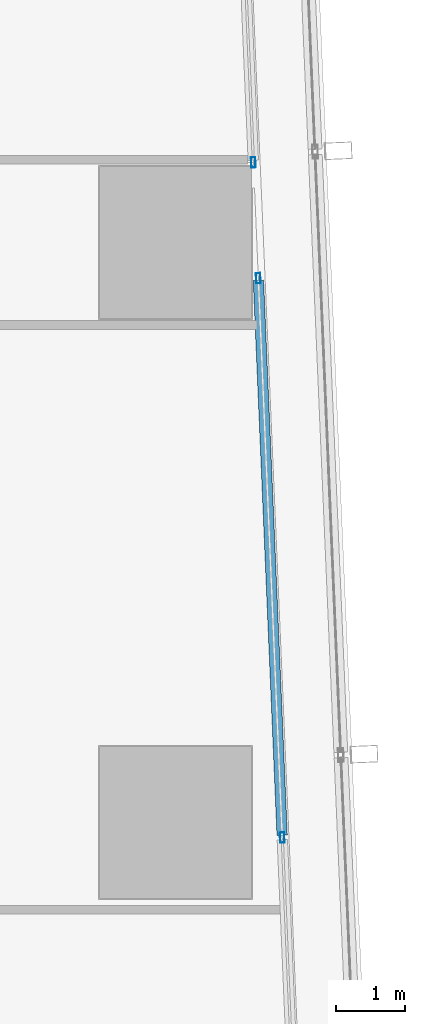
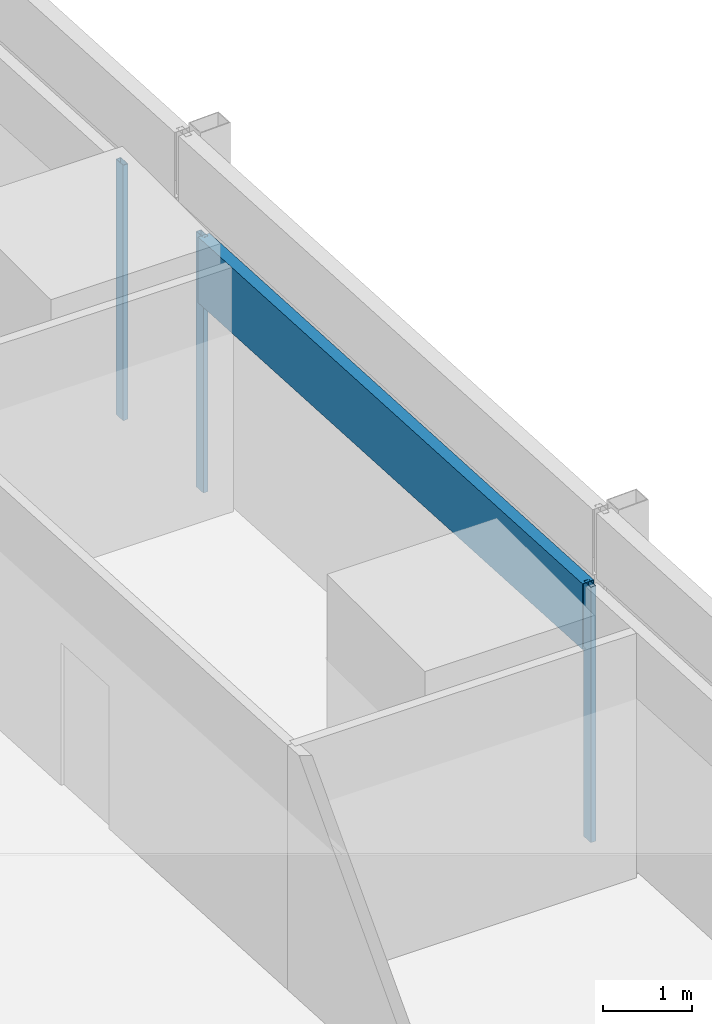
# One storey, part 20 of 45: 4 members, 2 elements without a shape of their own.
"""IFC4 building model written with IfcOpenShell, lengths in metres."""

import ifcopenshell
import ifcopenshell.guid

model = None  # the IFC model being written
_history = None  # IfcOwnerHistory: only IFC2X3 demands one
_inside = {}  # id of a spatial element -> (the spatial element, [elements in it])
_under = {}  # id of a project, library or spatial element -> (it, [spatial elements below it])
_declared = {}  # id of a project -> (the project, [libraries it declares])
_typed = {}  # id of a type object -> (the type object, [elements of that type])
_made_of = {}  # id of a material, layer set ... -> (it, [elements and type objects made of it])


def new_model(schema):
    """Start an empty IFC model of exactly this schema.

    Asked for "IFC4X3", IfcOpenShell would pick the latest addendum, in which some entities
    have other attributes; the version numbers below select the first issue.
    IFC2X3 requires an IfcOwnerHistory on every rooted entity: one is made here for all.
    """
    global model, _history
    if schema == "IFC4X3":
        model = ifcopenshell.file(schema_version=(4, 3, 0, 0))
    else:
        model = ifcopenshell.file(schema=schema)
    _inside.clear()
    _under.clear()
    _declared.clear()
    _typed.clear()
    _made_of.clear()
    _history = None
    if model.schema == "IFC2X3":
        org = make("IfcOrganization", Name="unknown")
        user = make(
            "IfcPersonAndOrganization",
            ThePerson=make("IfcPerson", FamilyName="unknown"),
            TheOrganization=org,
        )
        app = make(
            "IfcApplication",
            ApplicationDeveloper=org,
            Version="unknown",
            ApplicationFullName="unknown",
            ApplicationIdentifier="unknown",
        )
        _history = make(
            "IfcOwnerHistory",
            OwningUser=user,
            OwningApplication=app,
            ChangeAction="ADDED",
            CreationDate=0,
        )
    return model


def make(cls, **values):
    """One entity of the class cls with the attributes given. An attribute that is None is left unset."""
    return model.create_entity(
        cls, **{name: value for name, value in values.items() if value is not None}
    )


def rooted(cls, **values):
    """An entity with a GlobalId (a new one), such as an element, a storey or a relation."""
    return make(cls, GlobalId=ifcopenshell.guid.new(), OwnerHistory=_history, **values)


def si_unit(unit_type, name, prefix=None):
    """IfcSIUnit, for example si_unit("LENGTHUNIT", "METRE", prefix="MILLI")."""
    return make("IfcSIUnit", UnitType=unit_type, Prefix=prefix, Name=name)


def assignment(units):
    """IfcUnitAssignment: the units of a project."""
    return None if units is None else make("IfcUnitAssignment", Units=units)


def point(xyz):
    """IfcCartesianPoint."""
    return None if xyz is None else make("IfcCartesianPoint", Coordinates=xyz)


def direction(xyz):
    """IfcDirection."""
    return None if xyz is None else make("IfcDirection", DirectionRatios=xyz)


def frame(location, z_axis=None, x_axis=None):
    """IfcAxis2Placement3D, a coordinate frame: its origin and axes. An axis left out is left unset."""
    return make(
        "IfcAxis2Placement3D",
        Location=point(location),
        Axis=direction(z_axis),
        RefDirection=direction(x_axis),
    )


def frame_2d(location, x_axis=None):
    """IfcAxis2Placement2D, a coordinate frame in the plane: its origin and x axis."""
    return make(
        "IfcAxis2Placement2D", Location=point(location), RefDirection=direction(x_axis)
    )


def origin():
    """The frame at (0, 0, 0) with its axes left unset."""
    return frame((0.0, 0.0, 0.0))


def origin_2d():
    """The frame at (0, 0) in the plane with its x axis left unset."""
    return frame_2d((0.0, 0.0))


def place(relative_to, where):
    """IfcLocalPlacement: puts the frame where relative to a parent placement (None: the world)."""
    return make(
        "IfcLocalPlacement", PlacementRelTo=relative_to, RelativePlacement=where
    )


def context(
    kind, dimensions, precision=None, world=None, true_north=None, identifier=None
):
    """IfcGeometricRepresentationContext, for example the 3D "Model" context."""
    return make(
        "IfcGeometricRepresentationContext",
        ContextIdentifier=identifier,
        ContextType=kind,
        CoordinateSpaceDimension=dimensions,
        Precision=precision,
        WorldCoordinateSystem=world,
        TrueNorth=true_north,
    )


def subcontext(parent, identifier, kind, view, scale=None):
    """IfcGeometricRepresentationSubContext, for example "Body" below "Model"."""
    return make(
        "IfcGeometricRepresentationSubContext",
        ContextIdentifier=identifier,
        ContextType=kind,
        ParentContext=parent,
        TargetScale=scale,
        TargetView=view,
    )


def project(units=None, contexts=None):
    """IfcProject with its units and contexts."""
    return rooted(
        "IfcProject",
        Name="project",
        RepresentationContexts=contexts,
        UnitsInContext=assignment(units),
    )


def spatial(cls, under=None, at=None, **own):
    """A site, building, storey or space (cls), placed at a placement, below another one or the project."""
    s = rooted(cls, ObjectPlacement=at, **own)
    if under is not None:
        _under.setdefault(under.id(), (under, []))[1].append(s)
    return s


def profile(cls, at=None, kind="AREA", **sizes):
    """A parametric profile (cls). Its sizes go by their IFC names, for example OverallWidth=200.0."""
    return make(cls, ProfileType=kind, Position=at, **sizes)


def hollow_rectangle(**sizes):
    """IfcRectangleHollowProfileDef."""
    return profile("IfcRectangleHollowProfileDef", **sizes)


def extrude(swept, where, along, depth):
    """IfcExtrudedAreaSolid: the profile swept, set in the frame where, extruded along a direction by depth."""
    return make(
        "IfcExtrudedAreaSolid",
        SweptArea=swept,
        Position=where,
        ExtrudedDirection=direction(along),
        Depth=depth,
    )


def shape(context_of_items, identifier, shape_type, items):
    """IfcShapeRepresentation: the items that make up one representation, for example the "Body"."""
    return make(
        "IfcShapeRepresentation",
        ContextOfItems=context_of_items,
        RepresentationIdentifier=identifier,
        RepresentationType=shape_type,
        Items=items,
    )


def material(Name=None, Category=None):
    """IfcMaterial."""
    return make("IfcMaterial", Name=Name, Category=Category)


def material_profile(
    of_material, cross_section, Name=None, Category=None, Priority=None
):
    """IfcMaterialProfile: a cross section and its material."""
    return make(
        "IfcMaterialProfile",
        Name=Name,
        Material=of_material,
        Profile=cross_section,
        Priority=Priority,
        Category=Category,
    )


def profile_set(profiles, Name=None, composite=None):
    """IfcMaterialProfileSet."""
    return make(
        "IfcMaterialProfileSet",
        Name=Name,
        MaterialProfiles=profiles,
        CompositeProfile=composite,
    )


def made_of(thing, what):
    """Note that an element or type object is made of a material, layer set ...; save() writes the relation."""
    if what is not None:
        _made_of.setdefault(what.id(), (what, []))[1].append(thing)
    return thing


def type_object(cls, material=None, **own):
    """A type object (cls), such as IfcWallType, which elements share."""
    return made_of(rooted(cls, **own), material)


def element(
    cls,
    number,
    at=None,
    inside=None,
    cuts=None,
    type_object=None,
    material=None,
    context=None,
    identifier="Body",
    shape_type=None,
    held_by="IfcProductDefinitionShape",
    body=None,
    shapes=None,
    **own,
):
    """One element of the class cls, such as IfcWall. Its Tag is "e" and its number.

    at: its placement. inside: the storey or other place that contains it. cuts: it is an
    opening in that element (IfcRelVoidsElement). A single representation is given by context,
    identifier, shape_type and body (its items); several are given by shapes. held_by: the class
    of the entity that holds the representations. save() writes the other relations.
    """
    e = rooted(cls, Tag="e%d" % number, ObjectPlacement=at, **own)
    if body is not None:
        shapes = [shape(context, identifier, shape_type, body)]
    if shapes is not None:
        e.Representation = make(held_by, Representations=shapes)
    if inside is not None:
        _inside.setdefault(inside.id(), (inside, []))[1].append(e)
    if cuts is not None:
        rooted(
            "IfcRelVoidsElement", RelatingBuildingElement=cuts, RelatedOpeningElement=e
        )
    if type_object is not None:
        _typed.setdefault(type_object.id(), (type_object, []))[1].append(e)
    return made_of(e, material)


def aggregate(whole, parts):
    """IfcRelAggregates: a whole, such as a stair, and the parts it consists of."""
    return rooted("IfcRelAggregates", RelatingObject=whole, RelatedObjects=parts)


def save(model, path):
    """Write the relations noted so far, then the file.

    IfcRelAggregates (storeys below a building ...), IfcRelContainedInSpatialStructure (elements
    in a storey), IfcRelDefinesByType, IfcRelAssociatesMaterial and IfcRelDeclares: one each for
    every whole, place, type object, material and project.
    """
    for whole, parts in _under.values():
        aggregate(whole, parts)
    for where, things in _inside.values():
        rooted(
            "IfcRelContainedInSpatialStructure",
            RelatedElements=things,
            RelatingStructure=where,
        )
    for kind, things in _typed.values():
        rooted("IfcRelDefinesByType", RelatedObjects=things, RelatingType=kind)
    for what, things in _made_of.values():
        rooted("IfcRelAssociatesMaterial", RelatedObjects=things, RelatingMaterial=what)
    for by, libraries in _declared.values():
        rooted("IfcRelDeclares", RelatingContext=by, RelatedDefinitions=libraries)
    model.write(path)


model = new_model("IFC4")

# Units and contexts
model_context = context("Model", 3, precision=1e-05, world=origin(), true_north=direction((0.0, 1.0)))
body_context = subcontext(model_context, "Body", "Model", "MODEL_VIEW")
ifc_project = project(units=[si_unit("LENGTHUNIT", "METRE"), si_unit("AREAUNIT", "SQUARE_METRE"), si_unit("VOLUMEUNIT", "CUBIC_METRE"), si_unit("PLANEANGLEUNIT", "RADIAN"), si_unit("MASSUNIT", "GRAM", prefix="KILO")], contexts=[model_context])

# Site, building, storey
site_placement = place(None, origin())
site = spatial("IfcSite", under=ifc_project, at=site_placement, CompositionType="ELEMENT")
building_placement = place(site_placement, origin())
building = spatial("IfcBuilding", under=site, at=building_placement, Name="Rekha Terrace Tower", CompositionType="ELEMENT")
storey_placement = place(building_placement, frame((0.0, 0.0, 36.64990234375)))
storey = spatial("IfcBuildingStorey", under=building, at=storey_placement, Name="L08", CompositionType="ELEMENT", Elevation=36.64990234375)

# Curtain wall, members
ifc_material_1 = material(Name="Aluminium framing", Category="aluminium")
curtain_wall_type = type_object("IfcCurtainWallType", Name="CW1 double skin inner glazing", PredefinedType="USERDEFINED", material=ifc_material_1)
curtain_wall_1_placement = place(storey_placement, origin())
curtain_wall_1 = element("IfcCurtainWall", 1, at=curtain_wall_1_placement, inside=storey, type_object=curtain_wall_type, Name="CW1 double skin inner glazing", ObjectType="DOUBLE SKIN INNER GLAZING", PredefinedType="USERDEFINED")
ifc_material_2 = material(Name="Aluminium mullion section", Category="aluminium")
ifc_material_profile_1 = material_profile(ifc_material_2, hollow_rectangle(XDim=0.06494140625, YDim=0.14990234375, WallThickness=0.00390625, at=origin_2d()), Name="AL RHS 65x150")
ifc_profile_set_1 = profile_set([ifc_material_profile_1], Name="Aluminium mullion section")
member_type_1 = type_object("IfcMemberType", Name="CW1 mullion RHS 65 x 150", PredefinedType="MULLION", material=ifc_profile_set_1)
member_1_placement = place(storey_placement, frame((68.7431640625, 41.781494140625, 0.0), z_axis=(0.0, 0.0, 1.0), x_axis=(-0.999088106904, -0.042696072921, 0.0)))
member_1 = element("IfcMember", 2, at=member_1_placement, type_object=member_type_1, Name="CW1 mullion 3", PredefinedType="MULLION", context=body_context, shape_type="SweptSolid", body=[
    extrude(hollow_rectangle(XDim=0.06494140625, YDim=0.14990234375, WallThickness=0.00390625, at=origin_2d()), origin(), (0.0, 0.0, 1.0), 3.5),
])
member_2_placement = place(storey_placement, frame((68.397216796875, 49.8798828125, 0.0), z_axis=(0.0, 0.0, 1.0), x_axis=(-0.999088106904, -0.042696072921, 0.0)))
member_2 = element("IfcMember", 3, at=member_2_placement, type_object=member_type_1, Name="CW1 mullion 4", PredefinedType="MULLION", context=body_context, shape_type="SweptSolid", body=[
    extrude(hollow_rectangle(XDim=0.06494140625, YDim=0.14990234375, WallThickness=0.00390625, at=origin_2d()), origin(), (0.0, 0.0, 1.0), 3.5),
])

# Curtain wall, member
curtain_wall_2_placement = place(storey_placement, origin())
curtain_wall_2 = element("IfcCurtainWall", 4, at=curtain_wall_2_placement, inside=storey, type_object=curtain_wall_type, Name="CW1 double skin inner glazing", ObjectType="DOUBLE SKIN INNER GLAZING", PredefinedType="USERDEFINED")
member_3_placement = place(storey_placement, frame((68.325439453125, 51.556396484375, 0.0), z_axis=(0.0, 0.0, 1.0), x_axis=(-0.9990881069, -0.042696073026, 0.0)))
member_3 = element("IfcMember", 5, at=member_3_placement, type_object=member_type_1, Name="CW1 mullion 1", PredefinedType="MULLION", context=body_context, shape_type="SweptSolid", body=[
    extrude(hollow_rectangle(XDim=0.06494140625, YDim=0.14990234375, WallThickness=0.00390625, at=origin_2d()), origin(), (0.0, 0.0, 1.0), 3.5),
])
aggregate(curtain_wall_2, [member_3])

# Member
ifc_material_3 = material(Name="Insulated aluminium spandrel box", Category="aluminium")
ifc_material_profile_2 = material_profile(ifc_material_3, hollow_rectangle(XDim=0.14990234375, YDim=0.89990234375, WallThickness=0.0029296875, at=origin_2d()), Name="AL SPANDREL BOX 150x900")
ifc_profile_set_2 = profile_set([ifc_material_profile_2], Name="Insulated aluminium spandrel box")
member_type_2 = type_object("IfcMemberType", Name="CW1 spandrel transom 150 x 900", PredefinedType="USERDEFINED", material=ifc_profile_set_2)
member_4_placement = place(storey_placement, frame((68.741943359375, 41.81396484375, 3.050048828125), z_axis=(-0.042720422486, 0.999087066027, 0.0), x_axis=(-0.999087066027, -0.042720422486, 0.0)))
member_4 = element("IfcMember", 6, at=member_4_placement, type_object=member_type_2, Name="CW1 spandrel transom 3", ObjectType="TRANSOM", PredefinedType="USERDEFINED", context=body_context, shape_type="SweptSolid", body=[
    extrude(hollow_rectangle(XDim=0.14990234375, YDim=0.89990234375, WallThickness=0.0029296875, at=origin_2d()), origin(), (0.0, 0.0, 1.0), 8.040771484375),
])

aggregate(curtain_wall_1, [member_1, member_2, member_4])

save(model, "model.ifc")
